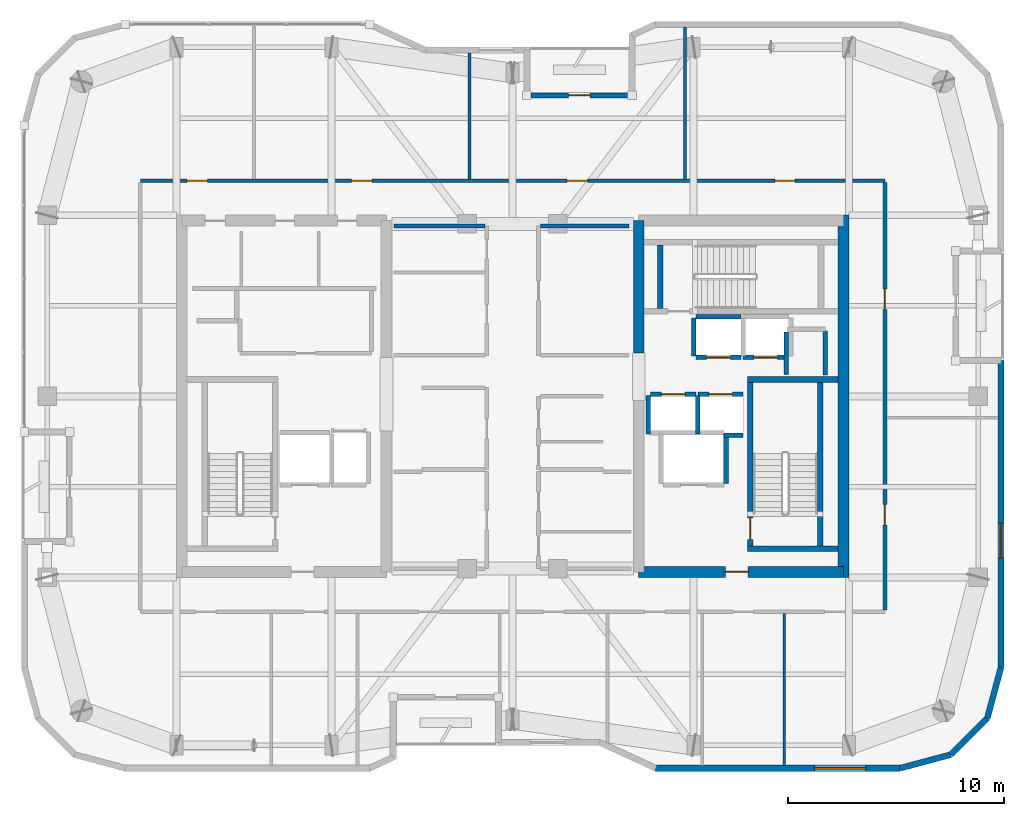
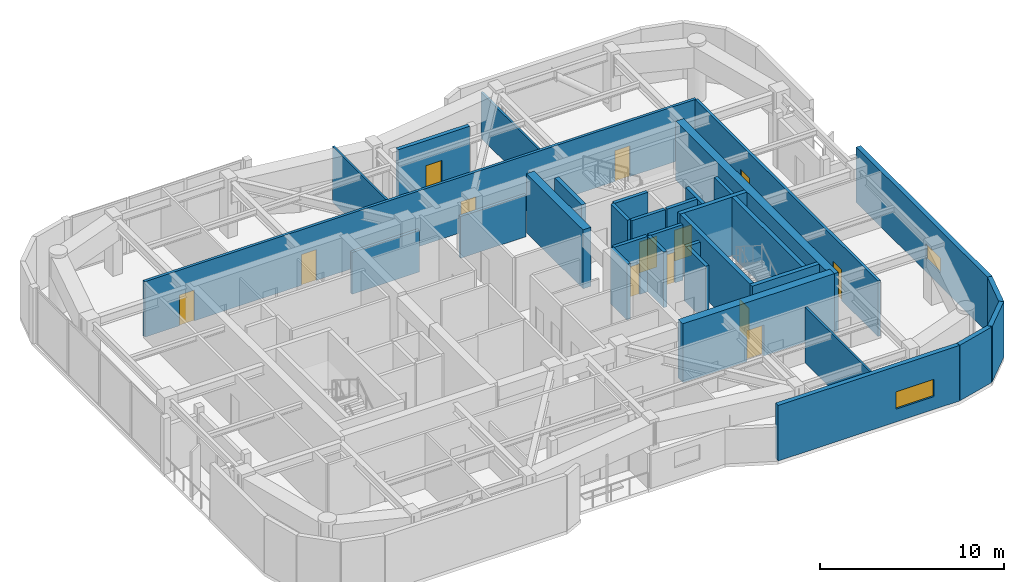
# One storey, part 12 of 15: 33 walls, 13 doors, 2 windows, 15 openings.
"""IFC4 building model written with IfcOpenShell, lengths in metres."""

from ifc_helpers import new_model, si_unit, direction, frame, frame_2d, origin, place, context, subcontext, project, spatial, rectangle, extrude, material, layer, layer_set, type_object, element, fill, save


model = new_model("IFC4")

# Units and contexts
model_context = context("Model", 3, precision=1e-05, world=origin(), true_north=direction((0.0, 1.0)))
body_context = subcontext(model_context, "Body", "Model", "MODEL_VIEW")
ifc_project = project(units=[si_unit("LENGTHUNIT", "METRE"), si_unit("AREAUNIT", "SQUARE_METRE"), si_unit("VOLUMEUNIT", "CUBIC_METRE"), si_unit("PLANEANGLEUNIT", "RADIAN"), si_unit("MASSUNIT", "GRAM", prefix="KILO")], contexts=[model_context])

# Site, building, storey
site_placement = place(None, origin())
site = spatial("IfcSite", under=ifc_project, at=site_placement, CompositionType="ELEMENT")
building_placement = place(site_placement, origin())
building = spatial("IfcBuilding", under=site, at=building_placement, Name="Kiyonajd Concourse Tower", CompositionType="ELEMENT")
storey_placement = place(building_placement, frame((0.0, 0.0, 314.10009765625)))
storey = spatial("IfcBuildingStorey", under=building, at=storey_placement, Name="L79", CompositionType="ELEMENT", Elevation=314.10009765625)

# Walls
ifc_material_1 = material(Name="Concrete C60/75", Category="concrete")
ifc_layer_1 = layer(ifc_material_1, 0.5)
ifc_layer_set_1 = layer_set([ifc_layer_1], Name="Concrete C60/75")
wall_type_1 = type_object("IfcWallType", Name="WL-CORE-500", PredefinedType="SHEAR", material=ifc_layer_set_1)
wall_1_placement = place(storey_placement, frame((53.85009765625, 38.0, 0.0), z_axis=(0.0, 0.0, 1.0), x_axis=(0.0, 1.0, 0.0)))
element("IfcWall", 1, at=wall_1_placement, inside=storey, type_object=wall_type_1, Name="L79 East Core Inner North Shear Wall", PredefinedType="SHEAR", context=body_context, shape_type="SweptSolid", body=[
    extrude(rectangle(XDim=6.14990234375, YDim=0.5, at=frame_2d((3.074951171875, 0.0))), origin(), (0.0, 0.0, 1.0), 3.89990234375),
])
wall_2_placement = place(storey_placement, frame((63.35009765625, 27.60009765625, 0.0), z_axis=(0.0, 0.0, 1.0), x_axis=(0.0, 1.0, 0.0)))
element("IfcWall", 2, at=wall_2_placement, inside=storey, type_object=wall_type_1, Name="L79 East Core Outer Shear Wall", PredefinedType="SHEAR", context=body_context, shape_type="SweptSolid", body=[
    extrude(rectangle(XDim=16.7998046875, YDim=0.5, at=frame_2d((8.39990234375, 0.0))), origin(), (0.0, 0.0, 1.0), 3.89990234375),
])

# Wall, opening, door
wall_3_placement = place(storey_placement, frame((53.85009765625, 27.85009765625, 0.0), z_axis=(0.0, 0.0, 1.0), x_axis=(1.0, 0.0, 0.0)))
wall_3 = element("IfcWall", 3, at=wall_3_placement, inside=storey, type_object=wall_type_1, Name="L79 East Core South Shear Wall", PredefinedType="SHEAR", context=body_context, shape_type="SweptSolid", body=[
    extrude(rectangle(XDim=9.5, YDim=0.5, at=frame_2d((4.75, 0.0))), origin(), (0.0, 0.0, 1.0), 3.89990234375),
])
opening_1_placement = place(wall_3_placement, frame((4.02490234375, 0.0, 0.0)))
opening_1 = element("IfcOpeningElement", 4, at=opening_1_placement, cuts=wall_3, Name="Opening DF5", PredefinedType="OPENING", context=body_context, shape_type="SweptSolid", body=[
    extrude(rectangle(XDim=1.050048828125, YDim=2.0400390625, at=frame_2d((0.52490234375, 1.02001953125))), frame((0.0, 0.260009765625, 0.0), z_axis=(0.0, -1.0, 0.0), x_axis=(1.0, 0.0, 0.0)), (0.0, 0.0, 1.0), 0.52001953125),
])
ifc_material_2 = material(Name="Brushed Stainless Steel Cab Assembly", Category="steel")
door_type_1 = type_object("IfcDoorType", Name="DR-FD45-1050", OperationType="NOTDEFINED", PredefinedType="DOOR", material=ifc_material_2)
door_1_placement = place(opening_1_placement, origin())
door_1 = element("IfcDoor", 5, at=door_1_placement, inside=storey, type_object=door_type_1, Name="L79 Firefighting Lift Lobby E Smoke Door", OperationType="SINGLE_SWING_RIGHT", OverallHeight=2.0400390625, OverallWidth=1.050048828125, PredefinedType="DOOR", context=body_context, shape_type="SweptSolid", body=[
    extrude(rectangle(XDim=1.050048828125, YDim=2.0400390625, at=frame_2d((0.52490234375, 1.02001953125))), frame((0.0, 0.02490234375, 0.0), z_axis=(0.0, -1.0, 0.0), x_axis=(1.0, 0.0, 0.0)), (0.0, 0.0, 1.0), 0.050048828125),
])
fill(opening_1, door_1)

# Wall, opening, window
ifc_material_3 = material(Name="Precast concrete C50/60", Category="concrete")
ifc_layer_2 = layer(ifc_material_3, 0.280029296875)
ifc_layer_set_2 = layer_set([ifc_layer_2], Name="Precast concrete C50/60")
wall_type_2 = type_object("IfcWallType", Name="WL-EXT-280", PredefinedType="SOLIDWALL", material=ifc_layer_set_2)
wall_4_placement = place(storey_placement, frame((70.659912109375, 37.659912109375, 0.0), z_axis=(0.0, 0.0, 1.0), x_axis=(0.0, -1.0, 0.0)))
wall_4 = element("IfcWall", 6, at=wall_4_placement, inside=storey, type_object=wall_type_2, Name="L79 Exterior Concrete Frame Wall 24", PredefinedType="SOLIDWALL", context=body_context, shape_type="SweptSolid", body=[
    extrude(rectangle(XDim=14.241455078125, YDim=0.280029296875, at=frame_2d((7.12060546875, 0.0))), origin(), (0.0, 0.0, 1.0), 3.679931640625),
])
opening_2_placement = place(wall_4_placement, frame((7.555908203125, 0.0, 0.85009765625)))
opening_2 = element("IfcOpeningElement", 7, at=opening_2_placement, cuts=wall_4, Name="Opening WN6", PredefinedType="OPENING", context=body_context, shape_type="SweptSolid", body=[
    extrude(rectangle(XDim=1.60009765625, YDim=1.0, at=frame_2d((0.800048828125, 0.5))), frame((0.0, 0.14990234375, 0.0), z_axis=(0.0, -1.0, 0.0), x_axis=(1.0, 0.0, 0.0)), (0.0, 0.0, 1.0), 0.300048828125),
])
ifc_material_4 = material(Name="Double Low-E Insulated Glass", Category="glass")
window_type_1 = type_object("IfcWindowType", Name="WN-VIS-1600x1000", PartitioningType="SINGLE_PANEL", PredefinedType="WINDOW", material=ifc_material_4)
window_1_placement = place(opening_2_placement, origin())
window_1 = element("IfcWindow", 8, at=window_1_placement, inside=storey, type_object=window_type_1, Name="L79 Modular Facade Vision Window 24", OverallHeight=1.0, OverallWidth=1.60009765625, PartitioningType="SINGLE_PANEL", PredefinedType="WINDOW", context=body_context, shape_type="SweptSolid", body=[
    extrude(rectangle(XDim=1.60009765625, YDim=1.0, at=frame_2d((0.800048828125, 0.5))), frame((0.0, 0.030029296875, 0.0), z_axis=(0.0, -1.0, 0.0), x_axis=(1.0, 0.0, 0.0)), (0.0, 0.0, 1.0), 0.06005859375),
])
fill(opening_2, window_1)

# Walls
wall_5_placement = place(storey_placement, frame((70.659912109375, 23.41845703125, 0.0), z_axis=(0.0, 0.0, 1.0), x_axis=(-0.258751159445, -0.965944013639, 0.0)))
element("IfcWall", 9, at=wall_5_placement, inside=storey, type_object=wall_type_2, Name="L79 Exterior Concrete Frame Wall 25", PredefinedType="SOLIDWALL", context=body_context, shape_type="SweptSolid", body=[
    extrude(rectangle(XDim=2.4287109375, YDim=0.280029296875, at=frame_2d((1.21435546875, 0.0))), origin(), (0.0, 0.0, 1.0), 3.679931640625),
])
wall_6_placement = place(storey_placement, frame((70.031494140625, 21.072509765625, 0.0), z_axis=(0.0, 0.0, 1.0), x_axis=(-0.707106781187, -0.707106781187, 0.0)))
element("IfcWall", 10, at=wall_6_placement, inside=storey, type_object=wall_type_2, Name="L79 Exterior Concrete Frame Wall 26", PredefinedType="SOLIDWALL", context=body_context, shape_type="SweptSolid", body=[
    extrude(rectangle(XDim=2.409912109375, YDim=0.280029296875, at=frame_2d((1.205078125, 0.0))), origin(), (0.0, 0.0, 1.0), 3.679931640625),
])
wall_7_placement = place(storey_placement, frame((68.327392578125, 19.368408203125, 0.0), z_axis=(0.0, 0.0, 1.0), x_axis=(-0.965937282298, -0.25877628691, 0.0)))
element("IfcWall", 11, at=wall_7_placement, inside=storey, type_object=wall_type_2, Name="L79 Exterior Concrete Frame Wall 27", PredefinedType="SOLIDWALL", context=body_context, shape_type="SweptSolid", body=[
    extrude(rectangle(XDim=2.428466796875, YDim=0.280029296875, at=frame_2d((1.21435546875, 0.0))), origin(), (0.0, 0.0, 1.0), 3.679931640625),
])

# Wall, opening, window
wall_8_placement = place(storey_placement, frame((65.981689453125, 18.739990234375, 0.0), z_axis=(0.0, 0.0, 1.0), x_axis=(-1.0, 0.0, 0.0)))
wall_8 = element("IfcWall", 12, at=wall_8_placement, inside=storey, type_object=wall_type_2, Name="L79 Exterior Concrete Frame Wall 28", PredefinedType="SOLIDWALL", context=body_context, shape_type="SweptSolid", body=[
    extrude(rectangle(XDim=11.35107421875, YDim=0.280029296875, at=frame_2d((5.675537109375, 0.0))), origin(), (0.0, 0.0, 1.0), 3.679931640625),
])
opening_3_placement = place(wall_8_placement, frame((1.5859375, 0.0, 0.85009765625)))
opening_3 = element("IfcOpeningElement", 13, at=opening_3_placement, cuts=wall_8, Name="Opening WN4", PredefinedType="OPENING", context=body_context, shape_type="SweptSolid", body=[
    extrude(rectangle(XDim=2.39990234375, YDim=1.14990234375, at=frame_2d((1.199951171875, 0.574951171875))), frame((0.0, 0.14990234375, 0.0), z_axis=(0.0, -1.0, 0.0), x_axis=(1.0, 0.0, 0.0)), (0.0, 0.0, 1.0), 0.300048828125),
])
window_type_2 = type_object("IfcWindowType", Name="WN-VIS-2400x1150", PartitioningType="SINGLE_PANEL", PredefinedType="WINDOW", material=ifc_material_4)
window_2_placement = place(opening_3_placement, origin())
window_2 = element("IfcWindow", 14, at=window_2_placement, inside=storey, type_object=window_type_2, Name="L79 Modular Facade Vision Window 28", OverallHeight=1.14990234375, OverallWidth=2.39990234375, PartitioningType="SINGLE_PANEL", PredefinedType="WINDOW", context=body_context, shape_type="SweptSolid", body=[
    extrude(rectangle(XDim=2.39990234375, YDim=1.14990234375, at=frame_2d((1.199951171875, 0.574951171875))), frame((0.0, 0.030029296875, 0.0), z_axis=(0.0, -1.0, 0.0), x_axis=(1.0, 0.0, 0.0)), (0.0, 0.0, 1.0), 0.06005859375),
])
fill(opening_3, window_2)

# Wall, opening, door
ifc_layer_3 = layer(ifc_material_3, 0.239990234375)
ifc_layer_set_3 = layer_set([ifc_layer_3], Name="Precast concrete C50/60")
wall_type_3 = type_object("IfcWallType", Name="WL-LOG-240", PredefinedType="SOLIDWALL", material=ifc_layer_set_3)
wall_9_placement = place(storey_placement, frame((48.85498046875, 49.9599609375, 0.0), z_axis=(0.0, 0.0, 1.0), x_axis=(1.0, 0.0, 0.0)))
wall_9 = element("IfcWall", 15, at=wall_9_placement, inside=storey, type_object=wall_type_3, Name="L79 Recessed Loggia Thermal Wall LOG-N", PredefinedType="SOLIDWALL", context=body_context, shape_type="SweptSolid", body=[
    extrude(rectangle(XDim=4.489990234375, YDim=0.239990234375, at=frame_2d((2.2451171875, 0.0))), origin(), (0.0, 0.0, 1.0), 3.679931640625),
])
opening_4_placement = place(wall_9_placement, frame((1.7451171875, 0.0, 0.0)))
opening_4 = element("IfcOpeningElement", 16, at=opening_4_placement, cuts=wall_9, Name="Opening DL1", PredefinedType="OPENING", context=body_context, shape_type="SweptSolid", body=[
    extrude(rectangle(XDim=1.0, YDim=2.02001953125, at=frame_2d((0.5, 1.010009765625))), frame((0.0, 0.1298828125, 0.0), z_axis=(0.0, -1.0, 0.0), x_axis=(1.0, 0.0, 0.0)), (0.0, 0.0, 1.0), 0.260009765625),
])
ifc_material_5 = material(Name="Thermally Broken Anodised Aluminium", Category="aluminium")
door_type_2 = type_object("IfcDoorType", Name="DR-LOG-1000", OperationType="NOTDEFINED", PredefinedType="DOOR", material=ifc_material_5)
door_2_placement = place(opening_4_placement, origin())
door_2 = element("IfcDoor", 17, at=door_2_placement, inside=storey, type_object=door_type_2, Name="L79 Engawa Loggia Access Door LOG-N", OperationType="SINGLE_SWING_RIGHT", OverallHeight=2.02001953125, OverallWidth=1.0, PredefinedType="DOOR", context=body_context, shape_type="SweptSolid", body=[
    extrude(rectangle(XDim=1.0, YDim=2.02001953125, at=frame_2d((0.5, 1.010009765625))), frame((0.0, 0.02490234375, 0.0), z_axis=(0.0, -1.0, 0.0), x_axis=(1.0, 0.0, 0.0)), (0.0, 0.0, 1.0), 0.050048828125),
])
fill(opening_4, door_2)

# Walls
ifc_material_6 = material(Name="Gypsum Board on Cold-Formed Steel Stud", Category="steel")
ifc_layer_4 = layer(ifc_material_6, 0.125)
ifc_layer_set_4 = layer_set([ifc_layer_4], Name="Gypsum Board on Cold-Formed Steel Stud")
wall_type_4 = type_object("IfcWallType", Name="WL-PART-125", PredefinedType="PARTITIONING", material=ifc_layer_set_4)
wall_10_placement = place(storey_placement, frame((60.60009765625, 18.875, 0.0), z_axis=(0.0, 0.0, 1.0), x_axis=(0.0, 1.0, 0.0)))
element("IfcWall", 18, at=wall_10_placement, inside=storey, type_object=wall_type_4, Name="L79 Interior Partition Wall", PredefinedType="PARTITIONING", context=body_context, shape_type="SweptSolid", body=[
    extrude(rectangle(XDim=7.0380859375, YDim=0.125, at=frame_2d((3.51904296875, 0.0))), origin(), (0.0, 0.0, 1.0), 3.679931640625),
])
wall_11_placement = place(storey_placement, frame((46.0, 46.0869140625, 0.0), z_axis=(0.0, 0.0, 1.0), x_axis=(0.0, 1.0, 0.0)))
element("IfcWall", 19, at=wall_11_placement, inside=storey, type_object=wall_type_4, Name="L79 Interior Partition Wall", PredefinedType="PARTITIONING", context=body_context, shape_type="SweptSolid", body=[
    extrude(rectangle(XDim=5.838134765625, YDim=0.125, at=frame_2d((2.9189453125, 0.0))), origin(), (0.0, 0.0, 1.0), 3.679931640625),
])
wall_12_placement = place(storey_placement, frame((56.0, 46.0869140625, 0.0), z_axis=(0.0, 0.0, 1.0), x_axis=(0.0, 1.0, 0.0)))
element("IfcWall", 20, at=wall_12_placement, inside=storey, type_object=wall_type_4, Name="L79 Interior Partition Wall", PredefinedType="PARTITIONING", context=body_context, shape_type="SweptSolid", body=[
    extrude(rectangle(XDim=7.0380859375, YDim=0.125, at=frame_2d((3.51904296875, 0.0))), origin(), (0.0, 0.0, 1.0), 3.04296875),
])
ifc_layer_5 = layer(ifc_material_6, 0.2099609375)
ifc_layer_set_5 = layer_set([ifc_layer_5], Name="Gypsum Board on Cold-Formed Steel Stud")
wall_type_5 = type_object("IfcWallType", Name="WL-SHAFT-210", PredefinedType="PARTITIONING", material=ifc_layer_set_5)
wall_13_placement = place(storey_placement, frame((60.699951171875, 37.02001953125, 0.0), z_axis=(0.0, 0.0, 1.0), x_axis=(0.0, 1.0, 0.0)))
element("IfcWall", 21, at=wall_13_placement, inside=storey, type_object=wall_type_5, Name="L79 Shaft Enclosure Wall", PredefinedType="PARTITIONING", context=body_context, shape_type="SweptSolid", body=[
    extrude(rectangle(XDim=1.9599609375, YDim=0.2099609375, at=frame_2d((0.97998046875, 0.0))), origin(), (0.0, 0.0, 1.0), 3.679931640625),
])
wall_14_placement = place(storey_placement, frame((62.5, 36.97998046875, 0.0), z_axis=(0.0, 0.0, 1.0), x_axis=(0.0, 1.0, 0.0)))
element("IfcWall", 22, at=wall_14_placement, inside=storey, type_object=wall_type_5, Name="L79 Shaft Enclosure Wall", PredefinedType="PARTITIONING", context=body_context, shape_type="SweptSolid", body=[
    extrude(rectangle(XDim=2.0400390625, YDim=0.2099609375, at=frame_2d((1.02001953125, 0.0))), origin(), (0.0, 0.0, 1.0), 3.679931640625),
])
wall_15_placement = place(storey_placement, frame((57.89990234375, 31.9599609375, 0.0), z_axis=(0.0, 0.0, 1.0), x_axis=(0.0, 1.0, 0.0)))
element("IfcWall", 23, at=wall_15_placement, inside=storey, type_object=wall_type_5, Name="L79 Shaft Enclosure Wall", PredefinedType="PARTITIONING", context=body_context, shape_type="SweptSolid", body=[
    extrude(rectangle(XDim=2.280029296875, YDim=0.2099609375, at=frame_2d((1.14013671875, 0.0))), origin(), (0.0, 0.0, 1.0), 3.679931640625),
])

# Wall, opening, door
wall_16_placement = place(storey_placement, frame((54.39990234375, 36.10009765625, 0.0), z_axis=(0.0, 0.0, 1.0), x_axis=(1.0, 0.0, 0.0)))
wall_16 = element("IfcWall", 24, at=wall_16_placement, inside=storey, type_object=wall_type_5, Name="L79 Shaft Enclosure Wall", PredefinedType="PARTITIONING", context=body_context, shape_type="SweptSolid", body=[
    extrude(rectangle(XDim=2.10009765625, YDim=0.2099609375, at=frame_2d((1.050048828125, 0.0))), origin(), (0.0, 0.0, 1.0), 3.679931640625),
])
opening_5_placement = place(wall_16_placement, frame((0.5, 0.0, 0.0)))
opening_5 = element("IfcOpeningElement", 25, at=opening_5_placement, cuts=wall_16, Name="Opening LD1", PredefinedType="OPENING", context=body_context, shape_type="SweptSolid", body=[
    extrude(rectangle(XDim=1.10009765625, YDim=2.0400390625, at=frame_2d((0.550048828125, 1.02001953125))), frame((0.0, 0.114990234375, 0.0), z_axis=(0.0, -1.0, 0.0), x_axis=(1.0, 0.0, 0.0)), (0.0, 0.0, 1.0), 0.22998046875),
])
door_type_3 = type_object("IfcDoorType", Name="DR-LD-1100", OperationType="DOUBLE_DOOR_SLIDING", PredefinedType="DOOR", material=ifc_material_2)
door_3_placement = place(opening_5_placement, origin())
door_3 = element("IfcDoor", 26, at=door_3_placement, inside=storey, type_object=door_type_3, Name="L79 Lift PL-H1 Sliding Landing Door", OperationType="DOUBLE_DOOR_SLIDING", OverallHeight=2.0400390625, OverallWidth=1.10009765625, PredefinedType="DOOR", context=body_context, shape_type="SweptSolid", body=[
    extrude(rectangle(XDim=1.10009765625, YDim=2.0400390625, at=frame_2d((0.550048828125, 1.02001953125))), frame((0.0, 0.02490234375, 0.0), z_axis=(0.0, -1.0, 0.0), x_axis=(1.0, 0.0, 0.0)), (0.0, 0.0, 1.0), 0.050048828125),
])
fill(opening_5, door_3)

# Walls
for number, where, z_axis, x_axis, name in (
    (27, (54.300048828125, 34.260009765625, 0.0), (0.0, 0.0, 1.0), (0.0, 1.0, 0.0), "L79 Shaft Enclosure Wall"),
    (28, (56.60009765625, 34.260009765625, 0.0), (0.0, 0.0, 1.0), (0.0, 1.0, 0.0), "L79 Shaft Enclosure Wall"),
):
    element("IfcWall", number, at=place(storey_placement, frame(where, z_axis=z_axis, x_axis=x_axis)), inside=storey, type_object=wall_type_5, Name=name, PredefinedType="PARTITIONING", context=body_context, shape_type="SweptSolid", body=[
        extrude(rectangle(XDim=1.780029296875, YDim=0.2099609375, at=frame_2d((0.89013671875, 0.0))), origin(), (0.0, 0.0, 1.0), 3.679931640625),
    ])

# Wall, opening, door
wall_17_placement = place(storey_placement, frame((56.60009765625, 36.10009765625, 0.0), z_axis=(0.0, 0.0, 1.0), x_axis=(1.0, 0.0, 0.0)))
wall_17 = element("IfcWall", 29, at=wall_17_placement, inside=storey, type_object=wall_type_5, Name="L79 Shaft Enclosure Wall", PredefinedType="PARTITIONING", context=body_context, shape_type="SweptSolid", body=[
    extrude(rectangle(XDim=2.099853515625, YDim=0.2099609375, at=frame_2d((1.0498046875, 0.0))), origin(), (0.0, 0.0, 1.0), 3.679931640625),
])
opening_6_placement = place(wall_17_placement, frame((0.5, 0.0, 0.0)))
opening_6 = element("IfcOpeningElement", 30, at=opening_6_placement, cuts=wall_17, Name="Opening LD1", PredefinedType="OPENING", context=body_context, shape_type="SweptSolid", body=[
    extrude(rectangle(XDim=1.10009765625, YDim=2.0400390625, at=frame_2d((0.550048828125, 1.02001953125))), frame((0.0, 0.114990234375, 0.0), z_axis=(0.0, -1.0, 0.0), x_axis=(1.0, 0.0, 0.0)), (0.0, 0.0, 1.0), 0.22998046875),
])
door_4_placement = place(opening_6_placement, origin())
door_4 = element("IfcDoor", 31, at=door_4_placement, inside=storey, type_object=door_type_3, Name="L79 Lift PL-H2 Sliding Landing Door", OperationType="DOUBLE_DOOR_SLIDING", OverallHeight=2.0400390625, OverallWidth=1.10009765625, PredefinedType="DOOR", context=body_context, shape_type="SweptSolid", body=[
    extrude(rectangle(XDim=1.10009765625, YDim=2.0400390625, at=frame_2d((0.550048828125, 1.02001953125))), frame((0.0, 0.02490234375, 0.0), z_axis=(0.0, -1.0, 0.0), x_axis=(1.0, 0.0, 0.0)), (0.0, 0.0, 1.0), 0.050048828125),
])
fill(opening_6, door_4)

# Wall
wall_18_placement = place(storey_placement, frame((57.800048828125, 34.199951171875, 0.0), z_axis=(0.0, 0.0, 1.0), x_axis=(1.0, 0.0, 0.0)))
element("IfcWall", 32, at=wall_18_placement, inside=storey, type_object=wall_type_5, Name="L79 Shaft Enclosure Wall", PredefinedType="PARTITIONING", context=body_context, shape_type="SweptSolid", body=[
    extrude(rectangle(XDim=0.89990234375, YDim=0.2099609375, at=frame_2d((0.449951171875, 0.0))), origin(), (0.0, 0.0, 1.0), 3.679931640625),
])

# Wall, opening, door
wall_19_placement = place(storey_placement, frame((56.5, 37.800048828125, 0.0), z_axis=(0.0, 0.0, 1.0), x_axis=(1.0, 0.0, 0.0)))
wall_19 = element("IfcWall", 33, at=wall_19_placement, inside=storey, type_object=wall_type_5, Name="L79 Shaft Enclosure Wall", PredefinedType="PARTITIONING", context=body_context, shape_type="SweptSolid", body=[
    extrude(rectangle(XDim=2.10009765625, YDim=0.2099609375, at=frame_2d((1.050048828125, 0.0))), origin(), (0.0, 0.0, 1.0), 3.679931640625),
])
opening_7_placement = place(wall_19_placement, frame((0.5, 0.0, 0.0)))
opening_7 = element("IfcOpeningElement", 34, at=opening_7_placement, cuts=wall_19, Name="Opening LD1", PredefinedType="OPENING", context=body_context, shape_type="SweptSolid", body=[
    extrude(rectangle(XDim=1.10009765625, YDim=2.0400390625, at=frame_2d((0.550048828125, 1.02001953125))), frame((0.0, 0.114990234375, 0.0), z_axis=(0.0, -1.0, 0.0), x_axis=(1.0, 0.0, 0.0)), (0.0, 0.0, 1.0), 0.22998046875),
])
door_5_placement = place(opening_7_placement, origin())
door_5 = element("IfcDoor", 35, at=door_5_placement, inside=storey, type_object=door_type_3, Name="L79 Lift PL-H3 Sliding Landing Door", OperationType="DOUBLE_DOOR_SLIDING", OverallHeight=2.0400390625, OverallWidth=1.10009765625, PredefinedType="DOOR", context=body_context, shape_type="SweptSolid", body=[
    extrude(rectangle(XDim=1.10009765625, YDim=2.0400390625, at=frame_2d((0.550048828125, 1.02001953125))), frame((0.0, 0.02490234375, 0.0), z_axis=(0.0, -1.0, 0.0), x_axis=(1.0, 0.0, 0.0)), (0.0, 0.0, 1.0), 0.050048828125),
])
fill(opening_7, door_5)

# Walls
wall_20_placement = place(storey_placement, frame((56.5, 39.699951171875, 0.0), z_axis=(0.0, 0.0, 1.0), x_axis=(1.0, 0.0, 0.0)))
element("IfcWall", 36, at=wall_20_placement, inside=storey, type_object=wall_type_5, Name="L79 Shaft Enclosure Wall", PredefinedType="PARTITIONING", context=body_context, shape_type="SweptSolid", body=[
    extrude(rectangle(XDim=2.10009765625, YDim=0.2099609375, at=frame_2d((1.050048828125, 0.0))), origin(), (0.0, 0.0, 1.0), 3.679931640625),
])
wall_21_placement = place(storey_placement, frame((56.39990234375, 37.860107421875, 0.0), z_axis=(0.0, 0.0, 1.0), x_axis=(0.0, 1.0, 0.0)))
element("IfcWall", 37, at=wall_21_placement, inside=storey, type_object=wall_type_5, Name="L79 Shaft Enclosure Wall", PredefinedType="PARTITIONING", context=body_context, shape_type="SweptSolid", body=[
    extrude(rectangle(XDim=1.77978515625, YDim=0.2099609375, at=frame_2d((0.889892578125, 0.0))), origin(), (0.0, 0.0, 1.0), 3.679931640625),
])

# Wall, opening, door
wall_22_placement = place(storey_placement, frame((58.699951171875, 37.800048828125, 0.0), z_axis=(0.0, 0.0, 1.0), x_axis=(1.0, 0.0, 0.0)))
wall_22 = element("IfcWall", 38, at=wall_22_placement, inside=storey, type_object=wall_type_5, Name="L79 Shaft Enclosure Wall", PredefinedType="PARTITIONING", context=body_context, shape_type="SweptSolid", body=[
    extrude(rectangle(XDim=2.10009765625, YDim=0.2099609375, at=frame_2d((1.050048828125, 0.0))), origin(), (0.0, 0.0, 1.0), 3.679931640625),
])
opening_8_placement = place(wall_22_placement, frame((0.5, 0.0, 0.0)))
opening_8 = element("IfcOpeningElement", 39, at=opening_8_placement, cuts=wall_22, Name="Opening LD1", PredefinedType="OPENING", context=body_context, shape_type="SweptSolid", body=[
    extrude(rectangle(XDim=1.10009765625, YDim=2.0400390625, at=frame_2d((0.550048828125, 1.02001953125))), frame((0.0, 0.114990234375, 0.0), z_axis=(0.0, -1.0, 0.0), x_axis=(1.0, 0.0, 0.0)), (0.0, 0.0, 1.0), 0.22998046875),
])
door_6_placement = place(opening_8_placement, origin())
door_6 = element("IfcDoor", 40, at=door_6_placement, inside=storey, type_object=door_type_3, Name="L79 Lift PL-H4 Sliding Landing Door", OperationType="DOUBLE_DOOR_SLIDING", OverallHeight=2.0400390625, OverallWidth=1.10009765625, PredefinedType="DOOR", context=body_context, shape_type="SweptSolid", body=[
    extrude(rectangle(XDim=1.10009765625, YDim=2.0400390625, at=frame_2d((0.550048828125, 1.02001953125))), frame((0.0, 0.02490234375, 0.0), z_axis=(0.0, -1.0, 0.0), x_axis=(1.0, 0.0, 0.0)), (0.0, 0.0, 1.0), 0.050048828125),
])
fill(opening_8, door_6)

# Walls
ifc_layer_6 = layer(ifc_material_6, 0.169921875)
ifc_layer_set_6 = layer_set([ifc_layer_6], Name="Gypsum Board on Cold-Formed Steel Stud")
wall_type_6 = type_object("IfcWallType", Name="WL-SMK-170", PredefinedType="PARTITIONING", material=ifc_layer_set_6)
wall_23_placement = place(storey_placement, frame((42.5, 43.89990234375, 0.0), z_axis=(0.0, 0.0, 1.0), x_axis=(1.0, 0.0, 0.0)))
element("IfcWall", 41, at=wall_23_placement, inside=storey, type_object=wall_type_6, Name="L79 Interior Partition Wall", PredefinedType="PARTITIONING", context=body_context, shape_type="SweptSolid", body=[
    extrude(rectangle(XDim=4.212890625, YDim=0.169921875, at=frame_2d((2.1064453125, 0.0))), origin(), (0.0, 0.0, 1.0), 2.764892578125),
])
wall_24_placement = place(storey_placement, frame((49.287109375, 43.89990234375, 0.0), z_axis=(0.0, 0.0, 1.0), x_axis=(1.0, 0.0, 0.0)))
element("IfcWall", 42, at=wall_24_placement, inside=storey, type_object=wall_type_6, Name="L79 Interior Partition Wall", PredefinedType="PARTITIONING", context=body_context, shape_type="SweptSolid", body=[
    extrude(rectangle(XDim=4.11279296875, YDim=0.169921875, at=frame_2d((2.056396484375, 0.0))), origin(), (0.0, 0.0, 1.0), 2.764892578125),
])

# Wall, openings, doors
wall_25_placement = place(storey_placement, frame((30.72509765625, 46.0, 0.0), z_axis=(0.0, 0.0, 1.0), x_axis=(1.0, 0.0, 0.0)))
wall_25 = element("IfcWall", 43, at=wall_25_placement, inside=storey, type_object=wall_type_6, Name="L79 Interior Partition Wall", PredefinedType="PARTITIONING", context=body_context, shape_type="SweptSolid", body=[
    extrude(rectangle(XDim=34.5498046875, YDim=0.169921875, at=frame_2d((17.27490234375, 0.0))), origin(), (0.0, 0.0, 1.0), 3.679931640625),
])
opening_9_placement = place(wall_25_placement, frame((2.162109375, 0.0, 0.0)))
opening_9 = element("IfcOpeningElement", 44, at=opening_9_placement, cuts=wall_25, Name="Opening DI1", PredefinedType="OPENING", context=body_context, shape_type="SweptSolid", body=[
    extrude(rectangle(XDim=0.949951171875, YDim=2.0400390625, at=frame_2d((0.47509765625, 1.02001953125))), frame((0.0, 0.094970703125, 0.0), z_axis=(0.0, -1.0, 0.0), x_axis=(1.0, 0.0, 0.0)), (0.0, 0.0, 1.0), 0.18994140625),
])
opening_10_placement = place(wall_25_placement, frame((9.800048828125, 0.0, 0.0)))
opening_10 = element("IfcOpeningElement", 45, at=opening_10_placement, cuts=wall_25, Name="Opening DI1", PredefinedType="OPENING", context=body_context, shape_type="SweptSolid", body=[
    extrude(rectangle(XDim=0.949951171875, YDim=2.0400390625, at=frame_2d((0.47509765625, 1.02001953125))), frame((0.0, 0.094970703125, 0.0), z_axis=(0.0, -1.0, 0.0), x_axis=(1.0, 0.0, 0.0)), (0.0, 0.0, 1.0), 0.18994140625),
])
opening_11_placement = place(wall_25_placement, frame((19.800048828125, 0.0, 0.0)))
opening_11 = element("IfcOpeningElement", 46, at=opening_11_placement, cuts=wall_25, Name="Opening DI1", PredefinedType="OPENING", context=body_context, shape_type="SweptSolid", body=[
    extrude(rectangle(XDim=0.949951171875, YDim=2.0400390625, at=frame_2d((0.47509765625, 1.02001953125))), frame((0.0, 0.094970703125, 0.0), z_axis=(0.0, -1.0, 0.0), x_axis=(1.0, 0.0, 0.0)), (0.0, 0.0, 1.0), 0.18994140625),
])
opening_12_placement = place(wall_25_placement, frame((29.43798828125, 0.0, 0.0)))
opening_12 = element("IfcOpeningElement", 47, at=opening_12_placement, cuts=wall_25, Name="Opening DI1", PredefinedType="OPENING", context=body_context, shape_type="SweptSolid", body=[
    extrude(rectangle(XDim=0.949951171875, YDim=2.0400390625, at=frame_2d((0.47509765625, 1.02001953125))), frame((0.0, 0.094970703125, 0.0), z_axis=(0.0, -1.0, 0.0), x_axis=(1.0, 0.0, 0.0)), (0.0, 0.0, 1.0), 0.18994140625),
])
ifc_material_7 = material(Name="Natural Oak Acoustic Timber Veneer", Category="wood")
door_type_4 = type_object("IfcDoorType", Name="DR-INT-950", OperationType="NOTDEFINED", PredefinedType="DOOR", material=ifc_material_7)
door_7_placement = place(opening_9_placement, origin())
door_7 = element("IfcDoor", 48, at=door_7_placement, inside=storey, type_object=door_type_4, Name="L79 Interior Door", OperationType="SINGLE_SWING_RIGHT", OverallHeight=2.0400390625, OverallWidth=0.949951171875, PredefinedType="DOOR", context=body_context, shape_type="SweptSolid", body=[
    extrude(rectangle(XDim=0.949951171875, YDim=2.0400390625, at=frame_2d((0.47509765625, 1.02001953125))), frame((0.0, 0.02490234375, 0.0), z_axis=(0.0, -1.0, 0.0), x_axis=(1.0, 0.0, 0.0)), (0.0, 0.0, 1.0), 0.050048828125),
])
fill(opening_9, door_7)
door_8_placement = place(opening_10_placement, origin())
door_8 = element("IfcDoor", 49, at=door_8_placement, inside=storey, type_object=door_type_4, Name="L79 Interior Door", OperationType="SINGLE_SWING_LEFT", OverallHeight=2.0400390625, OverallWidth=0.949951171875, PredefinedType="DOOR", context=body_context, shape_type="SweptSolid", body=[
    extrude(rectangle(XDim=0.949951171875, YDim=2.0400390625, at=frame_2d((0.47509765625, 1.02001953125))), frame((0.0, 0.02490234375, 0.0), z_axis=(0.0, -1.0, 0.0), x_axis=(1.0, 0.0, 0.0)), (0.0, 0.0, 1.0), 0.050048828125),
])
fill(opening_10, door_8)
door_9_placement = place(opening_11_placement, origin())
door_9 = element("IfcDoor", 50, at=door_9_placement, inside=storey, type_object=door_type_4, Name="L79 Interior Door", OperationType="SINGLE_SWING_RIGHT", OverallHeight=2.0400390625, OverallWidth=0.949951171875, PredefinedType="DOOR", context=body_context, shape_type="SweptSolid", body=[
    extrude(rectangle(XDim=0.949951171875, YDim=2.0400390625, at=frame_2d((0.47509765625, 1.02001953125))), frame((0.0, 0.02490234375, 0.0), z_axis=(0.0, -1.0, 0.0), x_axis=(1.0, 0.0, 0.0)), (0.0, 0.0, 1.0), 0.050048828125),
])
fill(opening_11, door_9)
door_10_placement = place(opening_12_placement, origin())
door_10 = element("IfcDoor", 51, at=door_10_placement, inside=storey, type_object=door_type_4, Name="L79 Interior Door", OperationType="SINGLE_SWING_LEFT", OverallHeight=2.0400390625, OverallWidth=0.949951171875, PredefinedType="DOOR", context=body_context, shape_type="SweptSolid", body=[
    extrude(rectangle(XDim=0.949951171875, YDim=2.0400390625, at=frame_2d((0.47509765625, 1.02001953125))), frame((0.0, 0.02490234375, 0.0), z_axis=(0.0, -1.0, 0.0), x_axis=(1.0, 0.0, 0.0)), (0.0, 0.0, 1.0), 0.050048828125),
])
fill(opening_12, door_10)

wall_26_placement = place(storey_placement, frame((65.27490234375, 26.0869140625, 0.0), z_axis=(0.0, 0.0, 1.0), x_axis=(0.0, 1.0, 0.0)))
wall_26 = element("IfcWall", 52, at=wall_26_placement, inside=storey, type_object=wall_type_6, Name="L79 Interior Partition Wall", PredefinedType="PARTITIONING", context=body_context, shape_type="SweptSolid", body=[
    extrude(rectangle(XDim=19.826171875, YDim=0.169921875, at=frame_2d((9.9130859375, 0.0))), origin(), (0.0, 0.0, 1.0), 3.679931640625),
])
opening_13_placement = place(wall_26_placement, frame((3.93798828125, 0.0, 0.0)))
opening_13 = element("IfcOpeningElement", 53, at=opening_13_placement, cuts=wall_26, Name="Opening DI1", PredefinedType="OPENING", context=body_context, shape_type="SweptSolid", body=[
    extrude(rectangle(XDim=0.949951171875, YDim=2.0400390625, at=frame_2d((0.47509765625, 1.02001953125))), frame((0.0, 0.094970703125, 0.0), z_axis=(0.0, -1.0, 0.0), x_axis=(1.0, 0.0, 0.0)), (0.0, 0.0, 1.0), 0.18994140625),
])
opening_14_placement = place(wall_26_placement, frame((13.93798828125, 0.0, 0.0)))
opening_14 = element("IfcOpeningElement", 54, at=opening_14_placement, cuts=wall_26, Name="Opening DI1", PredefinedType="OPENING", context=body_context, shape_type="SweptSolid", body=[
    extrude(rectangle(XDim=0.949951171875, YDim=2.0400390625, at=frame_2d((0.47509765625, 1.02001953125))), frame((0.0, 0.094970703125, 0.0), z_axis=(0.0, -1.0, 0.0), x_axis=(1.0, 0.0, 0.0)), (0.0, 0.0, 1.0), 0.18994140625),
])
door_11_placement = place(opening_13_placement, origin())
door_11 = element("IfcDoor", 55, at=door_11_placement, inside=storey, type_object=door_type_4, Name="L79 Interior Door", OperationType="SINGLE_SWING_LEFT", OverallHeight=2.0400390625, OverallWidth=0.949951171875, PredefinedType="DOOR", context=body_context, shape_type="SweptSolid", body=[
    extrude(rectangle(XDim=0.949951171875, YDim=2.0400390625, at=frame_2d((0.47509765625, 1.02001953125))), frame((0.0, 0.02490234375, 0.0), z_axis=(0.0, -1.0, 0.0), x_axis=(1.0, 0.0, 0.0)), (0.0, 0.0, 1.0), 0.050048828125),
])
fill(opening_13, door_11)
door_12_placement = place(opening_14_placement, origin())
door_12 = element("IfcDoor", 56, at=door_12_placement, inside=storey, type_object=door_type_4, Name="L79 Interior Door", OperationType="SINGLE_SWING_RIGHT", OverallHeight=2.0400390625, OverallWidth=0.949951171875, PredefinedType="DOOR", context=body_context, shape_type="SweptSolid", body=[
    extrude(rectangle(XDim=0.949951171875, YDim=2.0400390625, at=frame_2d((0.47509765625, 1.02001953125))), frame((0.0, 0.02490234375, 0.0), z_axis=(0.0, -1.0, 0.0), x_axis=(1.0, 0.0, 0.0)), (0.0, 0.0, 1.0), 0.050048828125),
])
fill(opening_14, door_12)

# Walls
ifc_material_8 = material(Name="Concrete C50/60", Category="concrete")
ifc_layer_7 = layer(ifc_material_8, 0.260009765625)
ifc_layer_set_7 = layer_set([ifc_layer_7], Name="Concrete C50/60")
wall_type_7 = type_object("IfcWallType", Name="WL-STAIR-260", PredefinedType="SHEAR", material=ifc_layer_set_7)
for number, where, z_axis, x_axis, name in (
    (57, (58.889892578125, 28.919921875, 0.0), (0.0, 0.0, 1.0), (1.0, 0.0, 0.0), "L79 Stair ST2 Structural South Wall"),
    (58, (58.889892578125, 36.780029296875, 0.0), (0.0, 0.0, 1.0), (1.0, 0.0, 0.0), "L79 Stair ST2 Structural North Wall"),
):
    element("IfcWall", number, at=place(storey_placement, frame(where, z_axis=z_axis, x_axis=x_axis)), inside=storey, type_object=wall_type_7, Name=name, PredefinedType="SHEAR", context=body_context, shape_type="SweptSolid", body=[
        extrude(rectangle(XDim=4.210205078125, YDim=0.260009765625, at=frame_2d((2.10498046875, 0.0))), origin(), (0.0, 0.0, 1.0), 3.89990234375),
    ])

# Wall, opening, door
wall_27_placement = place(storey_placement, frame((59.02001953125, 29.050048828125, 0.0), z_axis=(0.0, 0.0, 1.0), x_axis=(0.0, 1.0, 0.0)))
wall_27 = element("IfcWall", 59, at=wall_27_placement, inside=storey, type_object=wall_type_7, Name="L79 Stair ST2 Structural West Wall", PredefinedType="SHEAR", context=body_context, shape_type="SweptSolid", body=[
    extrude(rectangle(XDim=7.599853515625, YDim=0.260009765625, at=frame_2d((3.7998046875, 0.0))), origin(), (0.0, 0.0, 1.0), 3.89990234375),
])
opening_15_placement = place(wall_27_placement, frame((0.300048828125, 0.0, 0.0)))
opening_15 = element("IfcOpeningElement", 60, at=opening_15_placement, cuts=wall_27, Name="Opening DF1", PredefinedType="OPENING", context=body_context, shape_type="SweptSolid", body=[
    extrude(rectangle(XDim=1.0, YDim=2.0400390625, at=frame_2d((0.5, 1.02001953125))), frame((0.0, 0.139892578125, 0.0), z_axis=(0.0, -1.0, 0.0), x_axis=(1.0, 0.0, 0.0)), (0.0, 0.0, 1.0), 0.280029296875),
])
door_type_5 = type_object("IfcDoorType", Name="DR-FD90-1000", OperationType="NOTDEFINED", PredefinedType="DOOR", material=ifc_material_2)
door_13_placement = place(opening_15_placement, origin())
door_13 = element("IfcDoor", 61, at=door_13_placement, inside=storey, type_object=door_type_5, Name="L79 Stair ST2 FSAE Door", OperationType="SINGLE_SWING_RIGHT", OverallHeight=2.0400390625, OverallWidth=1.0, PredefinedType="DOOR", context=body_context, shape_type="SweptSolid", body=[
    extrude(rectangle(XDim=1.0, YDim=2.0400390625, at=frame_2d((0.5, 1.02001953125))), frame((0.0, 0.02490234375, 0.0), z_axis=(0.0, -1.0, 0.0), x_axis=(1.0, 0.0, 0.0)), (0.0, 0.0, 1.0), 0.050048828125),
])
fill(opening_15, door_13)

# Walls
wall_28_placement = place(storey_placement, frame((62.280029296875, 29.050048828125, 0.0), z_axis=(0.0, 0.0, 1.0), x_axis=(0.0, 1.0, 0.0)))
element("IfcWall", 62, at=wall_28_placement, inside=storey, type_object=wall_type_7, Name="L79 Stair ST2 Structural East Wall", PredefinedType="SHEAR", context=body_context, shape_type="SweptSolid", body=[
    extrude(rectangle(XDim=7.599853515625, YDim=0.260009765625, at=frame_2d((3.7998046875, 0.0))), origin(), (0.0, 0.0, 1.0), 3.89990234375),
])
wall_29_placement = place(storey_placement, frame((54.85009765625, 40.080078125, 0.0), z_axis=(0.0, 0.0, 1.0), x_axis=(0.0, 1.0, 0.0)))
element("IfcWall", 63, at=wall_29_placement, inside=storey, type_object=wall_type_7, Name="L79 Stair ST3 Structural West Wall", PredefinedType="SHEAR", context=body_context, shape_type="SweptSolid", body=[
    extrude(rectangle(XDim=2.93994140625, YDim=0.260009765625, at=frame_2d((1.469970703125, 0.0))), origin(), (0.0, 0.0, 1.0), 3.89990234375),
])

save(model, "model.ifc")
